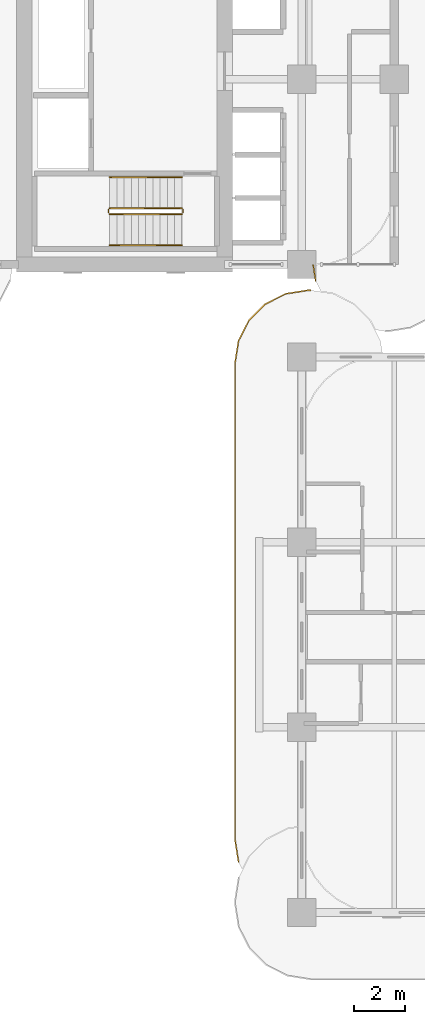
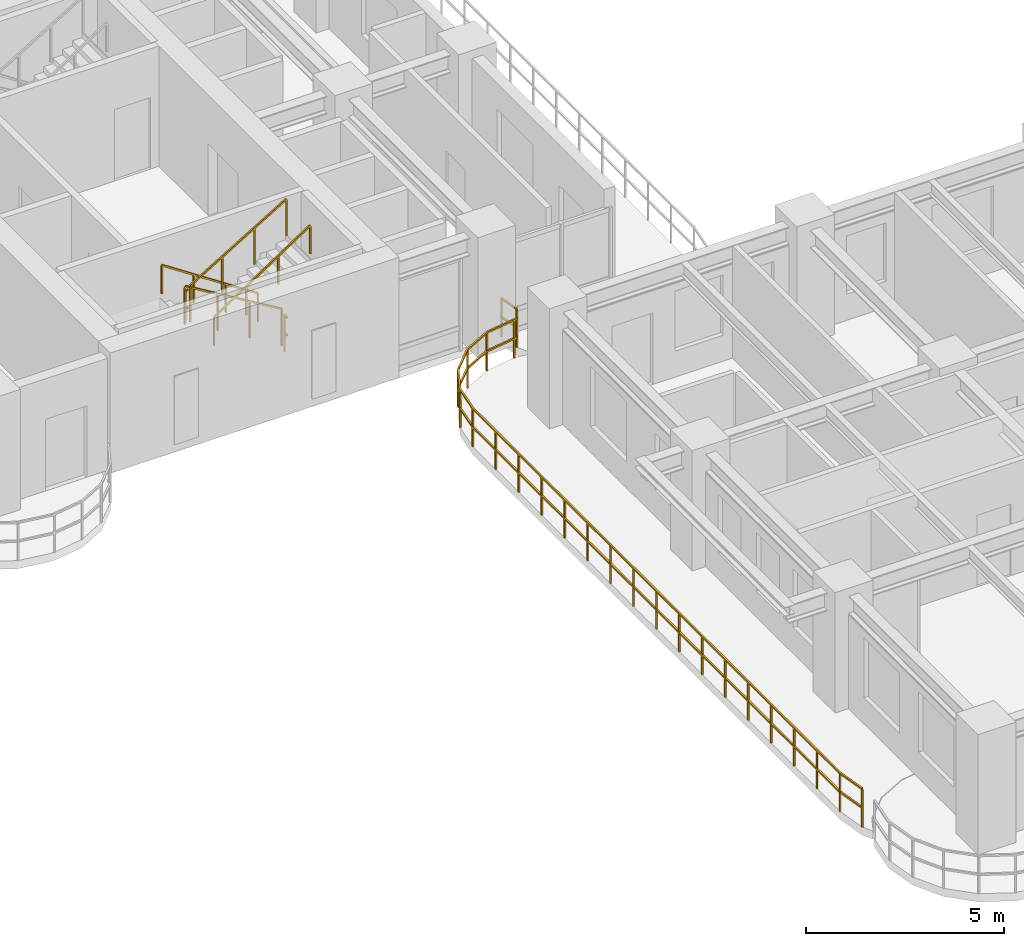
# One storey, part 13 of 19: 8 railings.
"""IFC4 building model written with IfcOpenShell, lengths in metres."""

from ifc_helpers import new_model, si_unit, derived_unit, direction, frame, origin, origin_2d, place, context, subcontext, project, spatial, rectangle, extrude, material, type_object, element, save


model = new_model("IFC4")

# Units and contexts
model_context = context("Model", 3, precision=1e-05, world=origin(), true_north=direction((0.0, 1.0)))
body_context = subcontext(model_context, "Body", "Model", "MODEL_VIEW")
ifc_project = project(units=[si_unit("LENGTHUNIT", "METRE"), si_unit("AREAUNIT", "SQUARE_METRE"), si_unit("VOLUMEUNIT", "CUBIC_METRE"), si_unit("PLANEANGLEUNIT", "RADIAN"), si_unit("MASSUNIT", "GRAM", prefix="KILO"), si_unit("THERMODYNAMICTEMPERATUREUNIT", "KELVIN"), si_unit("POWERUNIT", "WATT"), derived_unit("THERMALTRANSMITTANCEUNIT", [(si_unit("POWERUNIT", "WATT"), 1), (si_unit("AREAUNIT", "SQUARE_METRE"), -1), (si_unit("THERMODYNAMICTEMPERATUREUNIT", "KELVIN"), -1)])], contexts=[model_context])

# Site, building, storey
site_placement = place(None, origin())
site = spatial("IfcSite", under=ifc_project, at=site_placement, CompositionType="ELEMENT")
building_placement = place(site_placement, origin())
building = spatial("IfcBuilding", under=site, at=building_placement, Name="Zahravan Archway Hotel and Residences", CompositionType="ELEMENT")
storey_placement = place(building_placement, frame((0.0, 0.0, 39.800048828125)))
storey = spatial("IfcBuildingStorey", under=building, at=storey_placement, Name="L08", CompositionType="ELEMENT", Elevation=39.800048828125)

# Railings
ifc_material_1 = material(Name="Bronze & Laminated Glass Balustrade", Category="glass")
railing_type_1 = type_object("IfcRailingType", Name="RL-BAL-1200", PredefinedType="BALUSTRADE", material=ifc_material_1)
railing_1_placement = place(storey_placement, frame((11.939453125, 1.96923828125, 0.0)))
element("IfcRailing", 1, at=railing_1_placement, inside=storey, type_object=railing_type_1, Name="L08 Balustrade RL-SLB-BAL-L08-WA-1", PredefinedType="BALUSTRADE", context=body_context, shape_type="SweptSolid", body=[
    extrude(rectangle(XDim=0.048095703125, YDim=0.048095703125, at=origin_2d()), frame((0.0, 0.0, 1.17578125), z_axis=(-0.156314005608, 0.987707411965, 0.0), x_axis=(-0.987707411965, -0.156314005608, 0.0)), (0.0, 0.0, 1.0), 0.891845703125),
    extrude(rectangle(XDim=0.048095703125, YDim=0.048095703125, at=origin_2d()), frame((0.0, 0.0, 0.60009765625), z_axis=(-0.156314005608, 0.987707411965, 0.0), x_axis=(-0.987707411965, -0.156314005608, 0.0)), (0.0, 0.0, 1.0), 0.891845703125),
    extrude(rectangle(XDim=0.048095703125, YDim=0.048095703125, at=origin_2d()), frame((-0.139404296875, 0.880859375, 1.17578125), z_axis=(0.0, 1.0, 0.0), x_axis=(-1.0, 0.0, 0.0)), (0.0, 0.0, 1.0), 18.5),
    extrude(rectangle(XDim=0.048095703125, YDim=0.048095703125, at=origin_2d()), frame((-0.139404296875, 0.880859375, 0.60009765625), z_axis=(0.0, 1.0, 0.0), x_axis=(-1.0, 0.0, 0.0)), (0.0, 0.0, 1.0), 18.5),
    extrude(rectangle(XDim=0.048095703125, YDim=0.048095703125, at=origin_2d()), frame((-0.139404296875, 19.380859375, 1.17578125), z_axis=(0.156356282588, 0.987700720307, 0.0), x_axis=(-0.987700720307, 0.156356282588, 0.0)), (0.0, 0.0, 1.0), 0.8916015625),
    extrude(rectangle(XDim=0.048095703125, YDim=0.048095703125, at=origin_2d()), frame((-0.139404296875, 19.380859375, 0.60009765625), z_axis=(0.156356282588, 0.987700720307, 0.0), x_axis=(-0.987700720307, 0.156356282588, 0.0)), (0.0, 0.0, 1.0), 0.8916015625),
    extrude(rectangle(XDim=0.048095703125, YDim=0.048095703125, at=origin_2d()), frame((0.0, 20.261474609375, 1.17578125), z_axis=(0.453991409995, 0.891006060389, 0.0), x_axis=(-0.891006060389, 0.453991409995, 0.0)), (0.0, 0.0, 1.0), 0.8916015625),
    extrude(rectangle(XDim=0.048095703125, YDim=0.048095703125, at=origin_2d()), frame((0.0, 20.261474609375, 0.60009765625), z_axis=(0.453991409995, 0.891006060389, 0.0), x_axis=(-0.891006060389, 0.453991409995, 0.0)), (0.0, 0.0, 1.0), 0.8916015625),
    extrude(rectangle(XDim=0.048095703125, YDim=0.048095703125, at=origin_2d()), frame((0.40478515625, 21.055908203125, 1.17578125), z_axis=(0.707106781187, 0.707106781187, 0.0), x_axis=(-0.707106781187, 0.707106781187, 0.0)), (0.0, 0.0, 1.0), 0.891845703125),
    extrude(rectangle(XDim=0.048095703125, YDim=0.048095703125, at=origin_2d()), frame((0.40478515625, 21.055908203125, 0.60009765625), z_axis=(0.707106781187, 0.707106781187, 0.0), x_axis=(-0.707106781187, 0.707106781187, 0.0)), (0.0, 0.0, 1.0), 0.891845703125),
    extrude(rectangle(XDim=0.048095703125, YDim=0.048095703125, at=origin_2d()), frame((1.035400390625, 21.6865234375, 1.17578125), z_axis=(0.891006060389, 0.453991409995, 0.0), x_axis=(-0.453991409995, 0.891006060389, 0.0)), (0.0, 0.0, 1.0), 0.8916015625),
    extrude(rectangle(XDim=0.048095703125, YDim=0.048095703125, at=origin_2d()), frame((1.035400390625, 21.6865234375, 0.60009765625), z_axis=(0.891006060389, 0.453991409995, 0.0), x_axis=(-0.453991409995, 0.891006060389, 0.0)), (0.0, 0.0, 1.0), 0.8916015625),
    extrude(rectangle(XDim=0.048095703125, YDim=0.048095703125, at=origin_2d()), frame((1.829833984375, 22.09130859375, 1.17578125), z_axis=(0.987700720307, 0.156356282588, 0.0), x_axis=(-0.156356282588, 0.987700720307, 0.0)), (0.0, 0.0, 1.0), 0.8916015625),
    extrude(rectangle(XDim=0.048095703125, YDim=0.048095703125, at=origin_2d()), frame((1.829833984375, 22.09130859375, 0.60009765625), z_axis=(0.987700720307, 0.156356282588, 0.0), x_axis=(-0.156356282588, 0.987700720307, 0.0)), (0.0, 0.0, 1.0), 0.8916015625),
    extrude(rectangle(XDim=0.048095703125, YDim=0.048095703125, at=origin_2d()), frame((2.71044921875, 22.230712890625, 1.17578125), z_axis=(1.0, 0.0, 0.0), x_axis=(0.0, 1.0, 0.0)), (0.0, 0.0, 1.0), 0.10009765625),
    extrude(rectangle(XDim=0.048095703125, YDim=0.048095703125, at=origin_2d()), frame((2.71044921875, 22.230712890625, 0.60009765625), z_axis=(1.0, 0.0, 0.0), x_axis=(0.0, 1.0, 0.0)), (0.0, 0.0, 1.0), 0.10009765625),
    extrude(rectangle(XDim=0.0419921875, YDim=0.0419921875, at=origin_2d()), origin(), (0.0, 0.0, 1.0), 1.15185546875),
    extrude(rectangle(XDim=0.0419921875, YDim=0.0419921875, at=origin_2d()), frame((-0.139404296875, 0.880859375, 0.0)), (0.0, 0.0, 1.0), 1.15185546875),
    extrude(rectangle(XDim=0.0419921875, YDim=0.0419921875, at=origin_2d()), frame((-0.139404296875, 2.037109375, 0.0)), (0.0, 0.0, 1.0), 1.15185546875),
    extrude(rectangle(XDim=0.0419921875, YDim=0.0419921875, at=origin_2d()), frame((-0.139404296875, 3.193359375, 0.0)), (0.0, 0.0, 1.0), 1.15185546875),
    extrude(rectangle(XDim=0.0419921875, YDim=0.0419921875, at=origin_2d()), frame((-0.139404296875, 4.349609375, 0.0)), (0.0, 0.0, 1.0), 1.15185546875),
    extrude(rectangle(XDim=0.0419921875, YDim=0.0419921875, at=origin_2d()), frame((-0.139404296875, 5.505859375, 0.0)), (0.0, 0.0, 1.0), 1.15185546875),
    extrude(rectangle(XDim=0.0419921875, YDim=0.0419921875, at=origin_2d()), frame((-0.139404296875, 6.662109375, 0.0)), (0.0, 0.0, 1.0), 1.15185546875),
    extrude(rectangle(XDim=0.0419921875, YDim=0.0419921875, at=origin_2d()), frame((-0.139404296875, 7.818359375, 0.0)), (0.0, 0.0, 1.0), 1.15185546875),
    extrude(rectangle(XDim=0.0419921875, YDim=0.0419921875, at=origin_2d()), frame((-0.139404296875, 8.974609375, 0.0)), (0.0, 0.0, 1.0), 1.15185546875),
    extrude(rectangle(XDim=0.0419921875, YDim=0.0419921875, at=origin_2d()), frame((-0.139404296875, 10.130859375, 0.0)), (0.0, 0.0, 1.0), 1.15185546875),
    extrude(rectangle(XDim=0.0419921875, YDim=0.0419921875, at=origin_2d()), frame((-0.139404296875, 11.287109375, 0.0)), (0.0, 0.0, 1.0), 1.15185546875),
    extrude(rectangle(XDim=0.0419921875, YDim=0.0419921875, at=origin_2d()), frame((-0.139404296875, 12.443359375, 0.0)), (0.0, 0.0, 1.0), 1.15185546875),
    extrude(rectangle(XDim=0.0419921875, YDim=0.0419921875, at=origin_2d()), frame((-0.139404296875, 13.599609375, 0.0)), (0.0, 0.0, 1.0), 1.15185546875),
    extrude(rectangle(XDim=0.0419921875, YDim=0.0419921875, at=origin_2d()), frame((-0.139404296875, 14.755859375, 0.0)), (0.0, 0.0, 1.0), 1.15185546875),
    extrude(rectangle(XDim=0.0419921875, YDim=0.0419921875, at=origin_2d()), frame((-0.139404296875, 15.912109375, 0.0)), (0.0, 0.0, 1.0), 1.15185546875),
    extrude(rectangle(XDim=0.0419921875, YDim=0.0419921875, at=origin_2d()), frame((-0.139404296875, 17.068359375, 0.0)), (0.0, 0.0, 1.0), 1.15185546875),
    extrude(rectangle(XDim=0.0419921875, YDim=0.0419921875, at=origin_2d()), frame((-0.139404296875, 18.224609375, 0.0)), (0.0, 0.0, 1.0), 1.15185546875),
    extrude(rectangle(XDim=0.0419921875, YDim=0.0419921875, at=origin_2d()), frame((-0.139404296875, 19.380859375, 0.0)), (0.0, 0.0, 1.0), 1.15185546875),
    extrude(rectangle(XDim=0.0419921875, YDim=0.0419921875, at=origin_2d()), frame((0.0, 20.261474609375, 0.0)), (0.0, 0.0, 1.0), 1.15185546875),
    extrude(rectangle(XDim=0.0419921875, YDim=0.0419921875, at=origin_2d()), frame((0.40478515625, 21.055908203125, 0.0)), (0.0, 0.0, 1.0), 1.15185546875),
    extrude(rectangle(XDim=0.0419921875, YDim=0.0419921875, at=origin_2d()), frame((1.035400390625, 21.6865234375, 0.0)), (0.0, 0.0, 1.0), 1.15185546875),
    extrude(rectangle(XDim=0.0419921875, YDim=0.0419921875, at=origin_2d()), frame((1.829833984375, 22.09130859375, 0.0)), (0.0, 0.0, 1.0), 1.15185546875),
    extrude(rectangle(XDim=0.0419921875, YDim=0.0419921875, at=origin_2d()), frame((2.71044921875, 22.230712890625, 0.0)), (0.0, 0.0, 1.0), 1.15185546875),
])
railing_2_placement = place(storey_placement, frame((14.939453125, 24.5693359375, 0.0)))
element("IfcRailing", 2, at=railing_2_placement, inside=storey, type_object=railing_type_1, Name="L08 Balustrade RL-SLB-BAL-L08-EB-1", PredefinedType="BALUSTRADE", context=body_context, shape_type="SweptSolid", body=[
    extrude(rectangle(XDim=0.048095703125, YDim=0.048095703125, at=origin_2d()), frame((0.0, 0.0, 1.17578125), z_axis=(-0.156388432473, 0.987695630338, 0.0), x_axis=(-0.987695630338, -0.156388432473, 0.0)), (0.0, 0.0, 1.0), 0.6181640625),
    extrude(rectangle(XDim=0.048095703125, YDim=0.048095703125, at=origin_2d()), frame((0.0, 0.0, 0.60009765625), z_axis=(-0.156388432473, 0.987695630338, 0.0), x_axis=(-0.987695630338, -0.156388432473, 0.0)), (0.0, 0.0, 1.0), 0.6181640625),
    extrude(rectangle(XDim=0.0419921875, YDim=0.0419921875, at=origin_2d()), origin(), (0.0, 0.0, 1.0), 1.15185546875),
    extrude(rectangle(XDim=0.0419921875, YDim=0.0419921875, at=origin_2d()), frame((-0.0966796875, 0.610595703125, 0.0)), (0.0, 0.0, 1.0), 1.15185546875),
])
ifc_material_2 = material(Name="Painted Tubular Steel", Category="steel")
railing_type_2 = type_object("IfcRailingType", Name="RL-STG-1150", PredefinedType="GUARDRAIL", material=ifc_material_2)
railing_3_placement = place(storey_placement, frame((9.72998046875, 27.389892578125, 0.168212890625)))
element("IfcRailing", 3, at=railing_3_placement, inside=storey, type_object=railing_type_2, Name="L08 ST-B1 stair guard 1", PredefinedType="GUARDRAIL", context=body_context, shape_type="SweptSolid", body=[
    extrude(rectangle(XDim=0.048095703125, YDim=0.048095703125, at=origin_2d()), frame((0.0, 0.0, 1.1259765625), z_axis=(-0.857275202839, 0.0, 0.514858452973), x_axis=(0.0, -1.0, 0.0)), (0.0, 0.0, 1.0), 3.26611328125),
    extrude(rectangle(XDim=0.0419921875, YDim=0.0419921875, at=origin_2d()), origin(), (0.0, 0.0, 1.0), 1.101806640625),
    extrude(rectangle(XDim=0.0419921875, YDim=0.0419921875, at=origin_2d()), frame((-0.933349609375, 0.0, 0.560546875)), (0.0, 0.0, 1.0), 1.101806640625),
    extrude(rectangle(XDim=0.0419921875, YDim=0.0419921875, at=origin_2d()), frame((-1.86669921875, 0.0, 1.12109375)), (0.0, 0.0, 1.0), 1.101806640625),
    extrude(rectangle(XDim=0.0419921875, YDim=0.0419921875, at=origin_2d()), frame((-2.800048828125, 0.0, 1.681640625)), (0.0, 0.0, 1.0), 1.101806640625),
])
railing_4_placement = place(storey_placement, frame((6.8798828125, 27.340087890625, 1.849853515625)))
element("IfcRailing", 4, at=railing_4_placement, inside=storey, type_object=railing_type_2, Name="L08 ST-B1 stair guard 2", PredefinedType="GUARDRAIL", context=body_context, shape_type="SweptSolid", body=[
    extrude(rectangle(XDim=0.048095703125, YDim=0.048095703125, at=origin_2d()), frame((0.0, 0.0, 1.1259765625), z_axis=(0.0, -1.0, 0.0), x_axis=(1.0, 0.0, 0.0)), (0.0, 0.0, 1.0), 0.14013671875),
    extrude(rectangle(XDim=0.048095703125, YDim=0.048095703125, at=origin_2d()), frame((0.0, 0.0, 0.574951171875), z_axis=(0.0, -1.0, 0.0), x_axis=(1.0, 0.0, 0.0)), (0.0, 0.0, 1.0), 0.14013671875),
    extrude(rectangle(XDim=0.0419921875, YDim=0.0419921875, at=origin_2d()), origin(), (0.0, 0.0, 1.0), 1.101806640625),
])
railing_5_placement = place(storey_placement, frame((6.929931640625, 27.14990234375, 2.01806640625)))
element("IfcRailing", 5, at=railing_5_placement, inside=storey, type_object=railing_type_2, Name="L08 ST-B1 stair guard 3", PredefinedType="GUARDRAIL", context=body_context, shape_type="SweptSolid", body=[
    extrude(rectangle(XDim=0.048095703125, YDim=0.048095703125, at=origin_2d()), frame((0.0, 0.0, 1.1259765625), z_axis=(0.857242210791, 0.0, 0.514913383045), x_axis=(0.0, 1.0, 0.0)), (0.0, 0.0, 1.0), 3.266357421875),
    extrude(rectangle(XDim=0.0419921875, YDim=0.0419921875, at=origin_2d()), origin(), (0.0, 0.0, 1.0), 1.101806640625),
    extrude(rectangle(XDim=0.0419921875, YDim=0.0419921875, at=origin_2d()), frame((0.933349609375, 0.0, 0.560546875)), (0.0, 0.0, 1.0), 1.101806640625),
    extrude(rectangle(XDim=0.0419921875, YDim=0.0419921875, at=origin_2d()), frame((1.86669921875, 0.0, 1.121337890625)), (0.0, 0.0, 1.0), 1.101806640625),
    extrude(rectangle(XDim=0.0419921875, YDim=0.0419921875, at=origin_2d()), frame((2.800048828125, 0.0, 1.681884765625)), (0.0, 0.0, 1.0), 1.101806640625),
])
railing_6_placement = place(storey_placement, frame((9.780029296875, 27.340087890625, 0.0)))
element("IfcRailing", 6, at=railing_6_placement, inside=storey, type_object=railing_type_2, Name="L08 ST-B1 stair guard 4", PredefinedType="GUARDRAIL", context=body_context, shape_type="SweptSolid", body=[
    extrude(rectangle(XDim=0.048095703125, YDim=0.048095703125, at=origin_2d()), frame((0.0, 0.0, 1.1259765625), z_axis=(0.0, -1.0, 0.0), x_axis=(1.0, 0.0, 0.0)), (0.0, 0.0, 1.0), 0.14013671875),
    extrude(rectangle(XDim=0.048095703125, YDim=0.048095703125, at=origin_2d()), frame((0.0, 0.0, 0.574951171875), z_axis=(0.0, -1.0, 0.0), x_axis=(1.0, 0.0, 0.0)), (0.0, 0.0, 1.0), 0.14013671875),
    extrude(rectangle(XDim=0.0419921875, YDim=0.0419921875, at=origin_2d()), origin(), (0.0, 0.0, 1.0), 1.101806640625),
])
ifc_material_3 = material(Name="Brushed Stainless Steel", Category="steel")
railing_type_3 = type_object("IfcRailingType", Name="RL-STH-900", PredefinedType="HANDRAIL", material=ifc_material_3)
railing_7_placement = place(storey_placement, frame((9.72998046875, 28.590087890625, 0.168212890625)))
element("IfcRailing", 7, at=railing_7_placement, inside=storey, type_object=railing_type_3, Name="L08 ST-B1 stair handrail 1", PredefinedType="HANDRAIL", context=body_context, shape_type="SweptSolid", body=[
    extrude(rectangle(XDim=0.048095703125, YDim=0.048095703125, at=origin_2d()), frame((0.0, 0.0, 0.8759765625), z_axis=(-0.83435981716, 0.0, 0.551220187865), x_axis=(0.0, -1.0, 0.0)), (0.0, 0.0, 1.0), 3.35595703125),
    extrude(rectangle(XDim=0.0419921875, YDim=0.0419921875, at=origin_2d()), origin(), (0.0, 0.0, 1.0), 0.851806640625),
    extrude(rectangle(XDim=0.0419921875, YDim=0.0419921875, at=origin_2d()), frame((-0.933349609375, 0.0, 0.61669921875)), (0.0, 0.0, 1.0), 0.851806640625),
    extrude(rectangle(XDim=0.0419921875, YDim=0.0419921875, at=origin_2d()), frame((-1.86669921875, 0.0, 1.233154296875)), (0.0, 0.0, 1.0), 0.851806640625),
    extrude(rectangle(XDim=0.0419921875, YDim=0.0419921875, at=origin_2d()), frame((-2.800048828125, 0.0, 1.849853515625)), (0.0, 0.0, 1.0), 0.851806640625),
])
railing_8_placement = place(storey_placement, frame((6.929931640625, 25.949951171875, 2.01806640625)))
element("IfcRailing", 8, at=railing_8_placement, inside=storey, type_object=railing_type_3, Name="L08 ST-B1 stair handrail 2", PredefinedType="HANDRAIL", context=body_context, shape_type="SweptSolid", body=[
    extrude(rectangle(XDim=0.048095703125, YDim=0.048095703125, at=origin_2d()), frame((0.0, 0.0, 0.8759765625), z_axis=(0.834326358476, 0.0, 0.551270829586), x_axis=(0.0, 1.0, 0.0)), (0.0, 0.0, 1.0), 3.35595703125),
    extrude(rectangle(XDim=0.0419921875, YDim=0.0419921875, at=origin_2d()), origin(), (0.0, 0.0, 1.0), 0.851806640625),
    extrude(rectangle(XDim=0.0419921875, YDim=0.0419921875, at=origin_2d()), frame((0.933349609375, 0.0, 0.61669921875)), (0.0, 0.0, 1.0), 0.851806640625),
    extrude(rectangle(XDim=0.0419921875, YDim=0.0419921875, at=origin_2d()), frame((1.86669921875, 0.0, 1.2333984375)), (0.0, 0.0, 1.0), 0.851806640625),
    extrude(rectangle(XDim=0.0419921875, YDim=0.0419921875, at=origin_2d()), frame((2.800048828125, 0.0, 1.85009765625)), (0.0, 0.0, 1.0), 0.851806640625),
])

save(model, "model.ifc")
